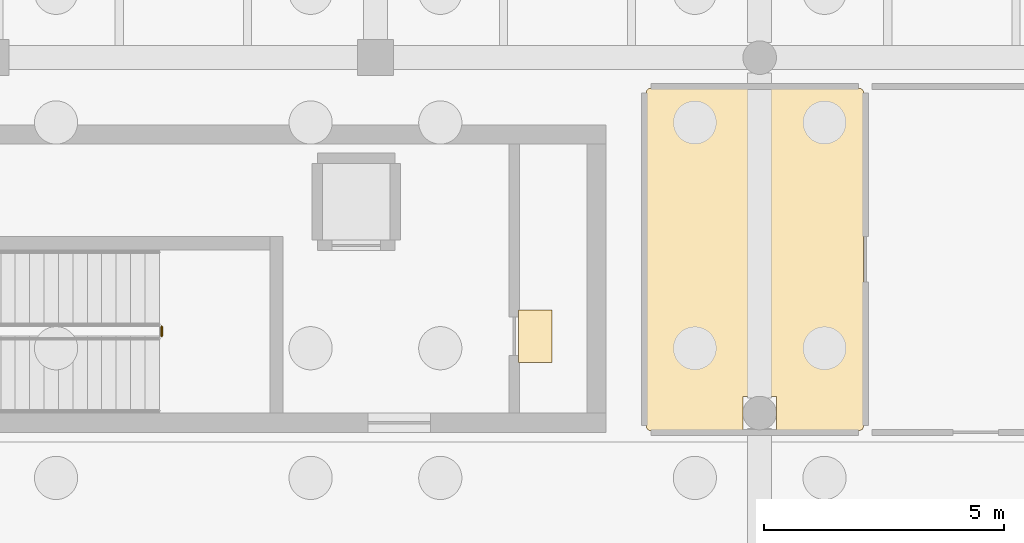
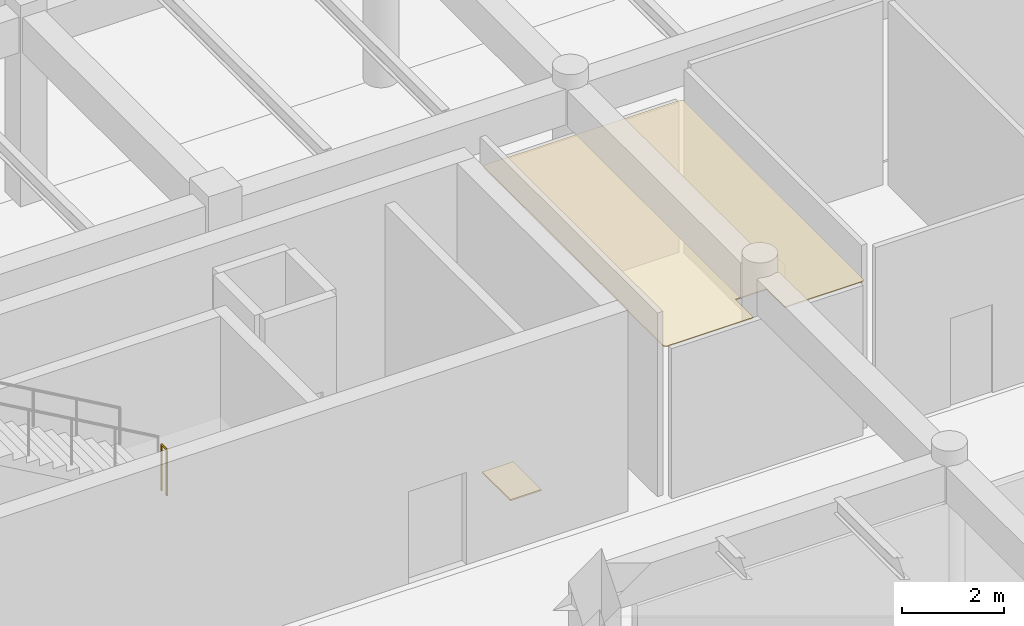
# One storey, part 31 of 40: 2 coverings, 1 railing.
"""IFC4 building model written with IfcOpenShell, lengths in metres."""

from ifc_helpers import new_model, si_unit, direction, frame, origin, origin_2d, place, context, subcontext, project, spatial, polyline, circle, outline, extrude, material, layer, layer_set, type_object, element, save


model = new_model("IFC4")

# Units and contexts
model_context = context("Model", 3, precision=1e-05, world=origin(), true_north=direction((0.0, 1.0)))
body_context = subcontext(model_context, "Body", "Model", "MODEL_VIEW")
ifc_project = project(units=[si_unit("LENGTHUNIT", "METRE"), si_unit("AREAUNIT", "SQUARE_METRE"), si_unit("VOLUMEUNIT", "CUBIC_METRE"), si_unit("PLANEANGLEUNIT", "RADIAN"), si_unit("MASSUNIT", "GRAM", prefix="KILO")], contexts=[model_context])

# Site, building, storey
site_placement = place(None, origin())
site = spatial("IfcSite", under=ifc_project, at=site_placement, CompositionType="ELEMENT")
building_placement = place(site_placement, origin())
building = spatial("IfcBuilding", under=site, at=building_placement, Name="Valkorina Park Police Headquarters", CompositionType="ELEMENT")
storey_placement = place(building_placement, frame((0.0, 0.0, -4.800048828125)))
storey = spatial("IfcBuildingStorey", under=building, at=storey_placement, Name="B01", CompositionType="ELEMENT", Elevation=-4.800048828125)

# Coverings
ifc_material_1 = material(Name="Acoustic mineral board")
ifc_layer_1 = layer(ifc_material_1, 0.02490234375)
ifc_layer_set_1 = layer_set([ifc_layer_1], Name="Acoustic mineral board")
covering_type_1 = type_object("IfcCoveringType", Name="COV-CEILING-ACOUST", PredefinedType="CEILING", material=ifc_layer_set_1)
covering_1_placement = place(storey_placement, frame((0.0, 0.0, 3.574951171875)))
element("IfcCovering", 1, at=covering_1_placement, inside=storey, type_object=covering_type_1, Name="Basement Staff Male WC Acoustic Suspended Ceiling", PredefinedType="CEILING", context=body_context, shape_type="SweptSolid", body=[
    extrude(outline(polyline([(58.95849609375, 51.50439453125), (58.959716796875, 51.51220703125), (58.9599609375, 51.52001953125), (58.9599609375, 58.47998046875), (58.959716796875, 58.48779296875), (58.95849609375, 58.49560546875), (58.95654296875, 58.503173828125), (58.953857421875, 58.510498046875), (58.95068359375, 58.517578125), (58.946533203125, 58.5244140625), (58.94189453125, 58.53076171875), (58.9365234375, 58.53662109375), (58.930908203125, 58.541748046875), (58.92431640625, 58.54638671875), (58.917724609375, 58.550537109375), (58.91064453125, 58.553955078125), (58.9033203125, 58.556640625), (58.8955078125, 58.55859375), (58.8876953125, 58.5595703125), (58.8798828125, 58.56005859375), (54.52001953125, 58.56005859375), (54.51220703125, 58.5595703125), (54.50439453125, 58.55859375), (54.496826171875, 58.556640625), (54.489501953125, 58.553955078125), (54.482421875, 58.550537109375), (54.4755859375, 58.54638671875), (54.46923828125, 58.541748046875), (54.46337890625, 58.53662109375), (54.458251953125, 58.53076171875), (54.45361328125, 58.5244140625), (54.449462890625, 58.517578125), (54.446044921875, 58.510498046875), (54.443359375, 58.503173828125), (54.44140625, 58.49560546875), (54.4404296875, 58.48779296875), (54.43994140625, 58.47998046875), (54.43994140625, 51.52001953125), (54.4404296875, 51.51220703125), (54.44140625, 51.50439453125), (54.443359375, 51.496826171875), (54.446044921875, 51.489501953125), (54.449462890625, 51.482421875), (54.45361328125, 51.4755859375), (54.458251953125, 51.46923828125), (54.46337890625, 51.46337890625), (54.46923828125, 51.458251953125), (54.4755859375, 51.45361328125), (54.482421875, 51.449462890625), (54.489501953125, 51.446044921875), (54.496826171875, 51.443359375), (54.50439453125, 51.44140625), (54.51220703125, 51.4404296875), (54.52001953125, 51.43994140625), (56.409912109375, 51.43994140625), (56.417724609375, 51.4404296875), (56.425537109375, 51.44140625), (56.43310546875, 51.443359375), (56.440673828125, 51.446044921875), (56.44775390625, 51.449462890625), (56.449951171875, 51.45068359375), (56.449951171875, 52.14990234375), (57.14990234375, 52.14990234375), (57.14990234375, 51.45068359375), (57.15234375, 51.449462890625), (57.159423828125, 51.446044921875), (57.166748046875, 51.443359375), (57.17431640625, 51.44140625), (57.18212890625, 51.4404296875), (57.18994140625, 51.43994140625), (58.8798828125, 51.43994140625), (58.8876953125, 51.4404296875), (58.8955078125, 51.44140625), (58.9033203125, 51.443359375), (58.91064453125, 51.446044921875), (58.917724609375, 51.449462890625), (58.92431640625, 51.45361328125), (58.930908203125, 51.458251953125), (58.9365234375, 51.46337890625), (58.94189453125, 51.46923828125), (58.946533203125, 51.4755859375), (58.95068359375, 51.482421875), (58.953857421875, 51.489501953125), (58.95654296875, 51.496826171875), (58.95849609375, 51.50439453125)])), origin(), (0.0, 0.0, 1.0), 0.025146484375),
])
ifc_material_2 = material(Name="Resin terrazzo flooring")
ifc_layer_2 = layer(ifc_material_2, 0.030029296875)
ifc_layer_set_2 = layer_set([ifc_layer_2], Name="Resin terrazzo flooring")
covering_type_2 = type_object("IfcCoveringType", Name="COV-FLOOR-TERRAZZO", PredefinedType="FLOORING", material=ifc_layer_set_2)
covering_2_placement = place(storey_placement, origin())
element("IfcCovering", 2, at=covering_2_placement, inside=storey, type_object=covering_type_2, Name="Core C3 B01 Riser Inspection Threshold Grate", PredefinedType="FLOORING", context=body_context, shape_type="SweptSolid", body=[
    extrude(outline(polyline([(52.47998046875, 52.85009765625), (52.47998046875, 53.949951171875), (51.780029296875, 53.949951171875), (51.780029296875, 52.85009765625), (52.47998046875, 52.85009765625)])), origin(), (0.0, 0.0, 1.0), 0.030029296875),
])

# Railing
ifc_material_3 = material(Name="Stainless steel EN 1.4404", Category="steel")
railing_type = type_object("IfcRailingType", Name="RL-GUARD-INT-1100", PredefinedType="BALUSTRADE", material=ifc_material_3)
railing_placement = place(storey_placement, frame((44.35009765625, 53.39990234375, 2.400146484375)))
element("IfcRailing", 3, at=railing_placement, inside=storey, type_object=railing_type, Name="B01 Core C3 Stair Guard 2", PredefinedType="BALUSTRADE", context=body_context, shape_type="SweptSolid", body=[
    extrude(circle(Radius=0.02392578125, at=origin_2d()), frame((0.0, 0.0, 1.09619140625), z_axis=(0.0, 1.0, 0.0), x_axis=(-1.0, 0.0, 0.0)), (0.0, 0.0, 1.0), 0.2001953125),
    extrude(circle(Radius=0.02099609375, at=origin_2d()), origin(), (0.0, 0.0, 1.0), 1.072021484375),
    extrude(circle(Radius=0.02099609375, at=origin_2d()), frame((0.0, 0.2001953125, 0.0)), (0.0, 0.0, 1.0), 1.072021484375),
])

save(model, "model.ifc")
